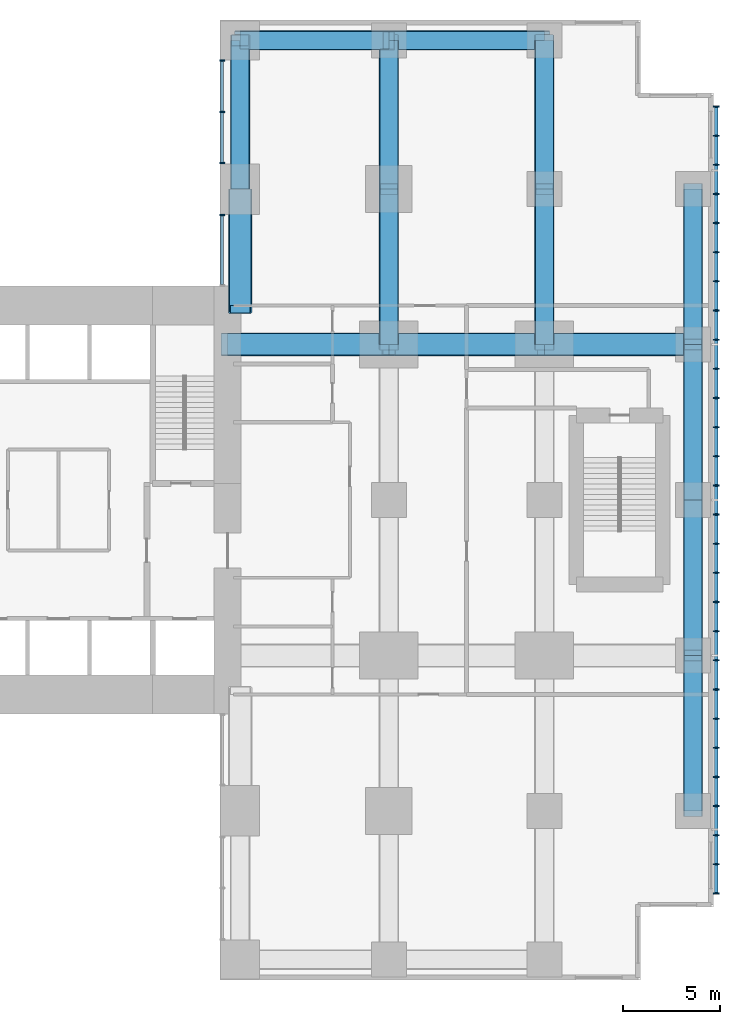
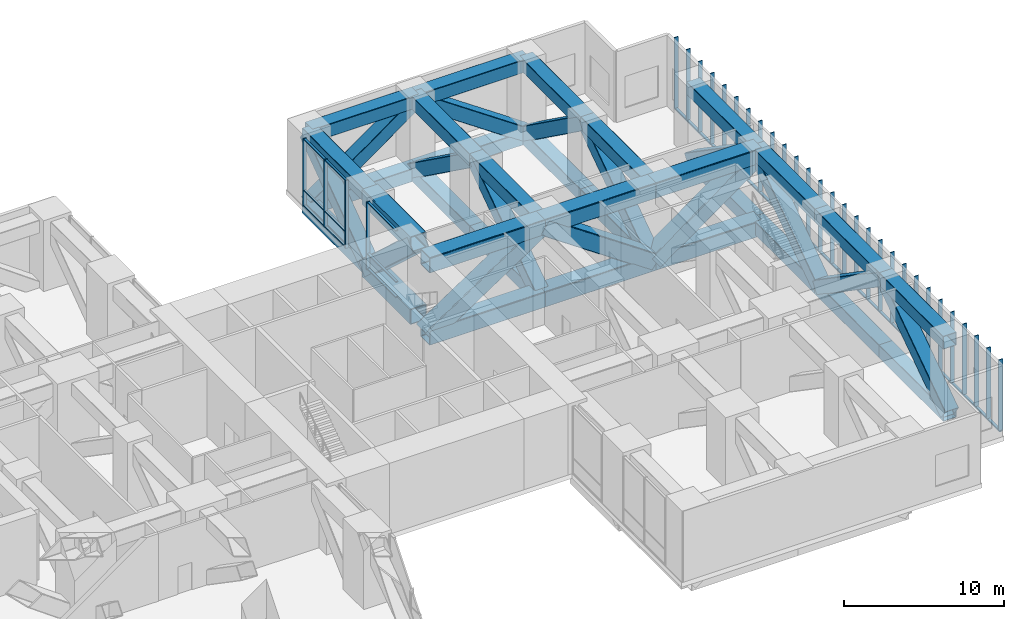
# One storey, part 5 of 15: 90 members, 2 elements without a shape of their own.
"""IFC4 building model written with IfcOpenShell, lengths in metres."""

from ifc_helpers import new_model, si_unit, direction, frame, origin, origin_2d, place, context, subcontext, project, spatial, rectangle, hollow_rectangle, extrude, material, layer, layer_set, material_profile, profile_set, type_object, element, aggregate, save


model = new_model("IFC4")

# Units and contexts
model_context = context("Model", 3, precision=1e-05, world=origin(), true_north=direction((0.0, 1.0)))
body_context = subcontext(model_context, "Body", "Model", "MODEL_VIEW")
ifc_project = project(units=[si_unit("LENGTHUNIT", "METRE"), si_unit("AREAUNIT", "SQUARE_METRE"), si_unit("VOLUMEUNIT", "CUBIC_METRE"), si_unit("PLANEANGLEUNIT", "RADIAN"), si_unit("MASSUNIT", "GRAM", prefix="KILO")], contexts=[model_context])

# Site, building, storey
site_placement = place(None, origin())
site = spatial("IfcSite", under=ifc_project, at=site_placement, CompositionType="ELEMENT")
building_placement = place(site_placement, origin())
building = spatial("IfcBuilding", under=site, at=building_placement, Name="Cleftline Residences", CompositionType="ELEMENT")
storey_placement = place(building_placement, frame((0.0, 0.0, 171.800048828125)))
storey = spatial("IfcBuildingStorey", under=building, at=storey_placement, Name="L45", CompositionType="ELEMENT", Elevation=171.800048828125)

# Members
ifc_material_1 = material(Name="Steel S355, hot-dip galvanised", Category="steel")
ifc_material_profile_1 = material_profile(ifc_material_1, hollow_rectangle(XDim=0.10009765625, YDim=0.199951171875, WallThickness=0.008056640625, InnerFilletRadius=0.008056640625, OuterFilletRadius=0.011962890625, at=origin_2d()))
ifc_profile_set_1 = profile_set([ifc_material_profile_1], Name="Steel S355, hot-dip galvanised")
member_type_1 = type_object("IfcMemberType", Name="BAGUETTE CARRIER RHS 200X100X8", PredefinedType="USERDEFINED", material=ifc_profile_set_1)
member_1_placement = place(storey_placement, frame((66.85009765625, 3.699951171875, -0.050048828125), z_axis=(0.0, 1.0, 0.0), x_axis=(0.0, 0.0, 1.0)))
element("IfcMember", 1, at=member_1_placement, inside=storey, type_object=member_type_1, Name="Baguette carrier", ObjectType="BAGUETTE CARRIER", PredefinedType="USERDEFINED", context=body_context, shape_type="SweptSolid", body=[
    extrude(hollow_rectangle(XDim=0.10009765625, YDim=0.199951171875, WallThickness=0.008056640625, InnerFilletRadius=0.008056640625, OuterFilletRadius=0.011962890625, at=origin_2d()), origin(), (0.0, 0.0, 1.0), 12.300048828125),
])
for number, where, z_axis, x_axis, name in (
    (2, (66.85009765625, 16.0, -0.050048828125), (0.0, 1.0, 0.0), (0.0, 0.0, 1.0), "Baguette carrier"),
    (3, (66.85009765625, 24.0, -0.050048828125), (0.0, 1.0, 0.0), (0.0, 0.0, 1.0), "Baguette carrier"),
):
    element("IfcMember", number, at=place(storey_placement, frame(where, z_axis=z_axis, x_axis=x_axis)), inside=storey, type_object=member_type_1, Name=name, ObjectType="BAGUETTE CARRIER", PredefinedType="USERDEFINED", context=body_context, shape_type="SweptSolid", body=[
        extrude(hollow_rectangle(XDim=0.10009765625, YDim=0.199951171875, WallThickness=0.008056640625, InnerFilletRadius=0.008056640625, OuterFilletRadius=0.011962890625, at=origin_2d()), origin(), (0.0, 0.0, 1.0), 8.0),
    ])
member_2_placement = place(storey_placement, frame((66.85009765625, 32.0, -0.050048828125), z_axis=(0.0, 1.0, 0.0), x_axis=(0.0, 0.0, 1.0)))
element("IfcMember", 4, at=member_2_placement, inside=storey, type_object=member_type_1, Name="Baguette carrier", ObjectType="BAGUETTE CARRIER", PredefinedType="USERDEFINED", context=body_context, shape_type="SweptSolid", body=[
    extrude(hollow_rectangle(XDim=0.10009765625, YDim=0.199951171875, WallThickness=0.008056640625, InnerFilletRadius=0.008056640625, OuterFilletRadius=0.011962890625, at=origin_2d()), origin(), (0.0, 0.0, 1.0), 12.300048828125),
])
ifc_material_2 = material(Name="Steel S355", Category="steel")
ifc_material_profile_2 = material_profile(ifc_material_2, hollow_rectangle(XDim=1.0, YDim=1.0, WallThickness=0.0400390625, InnerFilletRadius=0.0400390625, OuterFilletRadius=0.06005859375, at=origin_2d()))
ifc_profile_set_2 = profile_set([ifc_material_profile_2], Name="Steel S355")
member_type_2 = type_object("IfcMemberType", Name="BRACE BOX 1000X1000X40", PredefinedType="BRACE", material=ifc_profile_set_2)
member_3_placement = place(storey_placement, frame((42.35009765625, 40.0, -0.85009765625), z_axis=(0.0, 0.811933238445, 0.583750303048), x_axis=(0.0, -0.583750303048, 0.811933238445)))
element("IfcMember", 5, at=member_3_placement, inside=storey, type_object=member_type_2, Name="Belt truss diagonal", PredefinedType="BRACE", context=body_context, shape_type="SweptSolid", body=[
    extrude(hollow_rectangle(XDim=1.0, YDim=1.0, WallThickness=0.0400390625, InnerFilletRadius=0.0400390625, OuterFilletRadius=0.06005859375, at=origin_2d()), origin(), (0.0, 0.0, 1.0), 9.421875),
])
member_4_placement = place(storey_placement, frame((50.0, 32.0, -0.85009765625), z_axis=(0.0, 0.824041924199, 0.566528822887), x_axis=(0.0, -0.566528822887, 0.824041924199)))
element("IfcMember", 6, at=member_4_placement, inside=storey, type_object=member_type_2, Name="Belt truss diagonal", PredefinedType="BRACE", context=body_context, shape_type="SweptSolid", body=[
    extrude(hollow_rectangle(XDim=1.0, YDim=1.0, WallThickness=0.0400390625, InnerFilletRadius=0.0400390625, OuterFilletRadius=0.06005859375, at=origin_2d()), origin(), (0.0, 0.0, 1.0), 9.708251953125),
])
member_5_placement = place(storey_placement, frame((50.0, 40.0, 4.64990234375), z_axis=(0.0, 0.811933238445, -0.583750303048), x_axis=(0.0, 0.583750303048, 0.811933238445)))
element("IfcMember", 7, at=member_5_placement, inside=storey, type_object=member_type_2, Name="Belt truss diagonal", PredefinedType="BRACE", context=body_context, shape_type="SweptSolid", body=[
    extrude(hollow_rectangle(XDim=1.0, YDim=1.0, WallThickness=0.0400390625, InnerFilletRadius=0.0400390625, OuterFilletRadius=0.06005859375, at=origin_2d()), origin(), (0.0, 0.0, 1.0), 9.421875),
])
member_6_placement = place(storey_placement, frame((58.0, 32.0, -0.85009765625), z_axis=(0.0, 0.824041924199, 0.566528822887), x_axis=(0.0, -0.566528822887, 0.824041924199)))
element("IfcMember", 8, at=member_6_placement, inside=storey, type_object=member_type_2, Name="Belt truss diagonal", PredefinedType="BRACE", context=body_context, shape_type="SweptSolid", body=[
    extrude(hollow_rectangle(XDim=1.0, YDim=1.0, WallThickness=0.0400390625, InnerFilletRadius=0.0400390625, OuterFilletRadius=0.06005859375, at=origin_2d()), origin(), (0.0, 0.0, 1.0), 9.708251953125),
])
member_7_placement = place(storey_placement, frame((58.0, 40.0, 4.64990234375), z_axis=(0.0, 0.811933238445, -0.583750303048), x_axis=(0.0, 0.583750303048, 0.811933238445)))
element("IfcMember", 9, at=member_7_placement, inside=storey, type_object=member_type_2, Name="Belt truss diagonal", PredefinedType="BRACE", context=body_context, shape_type="SweptSolid", body=[
    extrude(hollow_rectangle(XDim=1.0, YDim=1.0, WallThickness=0.0400390625, InnerFilletRadius=0.0400390625, OuterFilletRadius=0.06005859375, at=origin_2d()), origin(), (0.0, 0.0, 1.0), 9.421875),
])
for number, where, z_axis, x_axis, name in (
    (10, (65.64990234375, 8.0, -0.85009765625), (0.0, 0.824041924199, 0.566528822887), (0.0, -0.566528822887, 0.824041924199), "Belt truss diagonal"),
    (11, (65.64990234375, 16.0, 4.64990234375), (0.0, 0.824041924199, -0.566528822887), (0.0, 0.566528822887, 0.824041924199), "Belt truss diagonal"),
    (12, (65.64990234375, 24.0, -0.85009765625), (0.0, 0.824041924199, 0.566528822887), (0.0, -0.566528822887, 0.824041924199), "Belt truss diagonal"),
    (13, (65.64990234375, 32.0, 4.64990234375), (0.0, 0.824041924199, -0.566528822887), (0.0, 0.566528822887, 0.824041924199), "Belt truss diagonal"),
):
    element("IfcMember", number, at=place(storey_placement, frame(where, z_axis=z_axis, x_axis=x_axis)), inside=storey, type_object=member_type_2, Name=name, PredefinedType="BRACE", context=body_context, shape_type="SweptSolid", body=[
        extrude(hollow_rectangle(XDim=1.0, YDim=1.0, WallThickness=0.0400390625, InnerFilletRadius=0.0400390625, OuterFilletRadius=0.06005859375, at=origin_2d()), origin(), (0.0, 0.0, 1.0), 9.708251953125),
    ])
member_8_placement = place(storey_placement, frame((42.35009765625, 47.64990234375, -0.85009765625), z_axis=(0.811933238445, 0.0, 0.583750303048), x_axis=(-0.583750303048, 0.0, 0.811933238445)))
element("IfcMember", 14, at=member_8_placement, inside=storey, type_object=member_type_2, Name="Belt truss diagonal", PredefinedType="BRACE", context=body_context, shape_type="SweptSolid", body=[
    extrude(hollow_rectangle(XDim=1.0, YDim=1.0, WallThickness=0.0400390625, InnerFilletRadius=0.0400390625, OuterFilletRadius=0.06005859375, at=origin_2d()), origin(), (0.0, 0.0, 1.0), 9.421875),
])
member_9_placement = place(storey_placement, frame((50.0, 47.64990234375, 4.64990234375), z_axis=(0.824041924199, 0.0, -0.566528822887), x_axis=(0.566528822887, 0.0, 0.824041924199)))
element("IfcMember", 15, at=member_9_placement, inside=storey, type_object=member_type_2, Name="Belt truss diagonal", PredefinedType="BRACE", context=body_context, shape_type="SweptSolid", body=[
    extrude(hollow_rectangle(XDim=1.0, YDim=1.0, WallThickness=0.0400390625, InnerFilletRadius=0.0400390625, OuterFilletRadius=0.06005859375, at=origin_2d()), origin(), (0.0, 0.0, 1.0), 9.708251953125),
])
ifc_material_3 = material(Name="Steel S355", Category="steel")
ifc_material_profile_3 = material_profile(ifc_material_3, hollow_rectangle(XDim=1.199951171875, YDim=1.199951171875, WallThickness=0.06005859375, InnerFilletRadius=0.06005859375, OuterFilletRadius=0.090087890625, at=origin_2d()))
ifc_profile_set_3 = profile_set([ifc_material_profile_3], Name="Steel S355")
member_type_3 = type_object("IfcMemberType", Name="BRACE BOX 1200X1200X60", PredefinedType="BRACE", material=ifc_profile_set_3)
member_10_placement = place(storey_placement, frame((41.699951171875, 32.0, -0.949951171875), z_axis=(0.833593682581, 0.0, 0.552378106338), x_axis=(-0.552378106338, 0.0, 0.833593682581)))
element("IfcMember", 16, at=member_10_placement, inside=storey, type_object=member_type_3, Name="Outrigger truss diagonal", PredefinedType="BRACE", context=body_context, shape_type="SweptSolid", body=[
    extrude(hollow_rectangle(XDim=1.199951171875, YDim=1.199951171875, WallThickness=0.06005859375, InnerFilletRadius=0.06005859375, OuterFilletRadius=0.090087890625, at=origin_2d()), origin(), (0.0, 0.0, 1.0), 9.95703125),
])
member_11_placement = place(storey_placement, frame((50.0, 32.0, 4.550048828125), z_axis=(0.824041924199, 0.0, -0.566528822887), x_axis=(0.566528822887, 0.0, 0.824041924199)))
element("IfcMember", 17, at=member_11_placement, inside=storey, type_object=member_type_3, Name="Outrigger truss diagonal", PredefinedType="BRACE", context=body_context, shape_type="SweptSolid", body=[
    extrude(hollow_rectangle(XDim=1.199951171875, YDim=1.199951171875, WallThickness=0.06005859375, InnerFilletRadius=0.06005859375, OuterFilletRadius=0.090087890625, at=origin_2d()), origin(), (0.0, 0.0, 1.0), 9.708251953125),
])
member_12_placement = place(storey_placement, frame((58.0, 32.0, -0.949951171875), z_axis=(0.811933238445, 0.0, 0.583750303048), x_axis=(-0.583750303048, 0.0, 0.811933238445)))
element("IfcMember", 18, at=member_12_placement, inside=storey, type_object=member_type_3, Name="Outrigger truss diagonal", PredefinedType="BRACE", context=body_context, shape_type="SweptSolid", body=[
    extrude(hollow_rectangle(XDim=1.199951171875, YDim=1.199951171875, WallThickness=0.06005859375, InnerFilletRadius=0.06005859375, OuterFilletRadius=0.090087890625, at=origin_2d()), origin(), (0.0, 0.0, 1.0), 9.421875),
])
member_13_placement = place(storey_placement, frame((42.35009765625, 40.0, -0.949951171875), z_axis=(0.0, -0.737154140201, 0.675724628517), x_axis=(0.0, 0.675724628517, 0.737154140201)))
element("IfcMember", 19, at=member_13_placement, inside=storey, type_object=member_type_3, Name="Outrigger truss diagonal", PredefinedType="BRACE", context=body_context, shape_type="SweptSolid", body=[
    extrude(hollow_rectangle(XDim=1.199951171875, YDim=1.199951171875, WallThickness=0.06005859375, InnerFilletRadius=0.06005859375, OuterFilletRadius=0.090087890625, at=origin_2d()), origin(), (0.0, 0.0, 1.0), 8.139404296875),
])
ifc_material_4 = material(Name="Steel S355", Category="steel")
ifc_material_profile_4 = material_profile(ifc_material_4, hollow_rectangle(XDim=1.0, YDim=1.0, WallThickness=0.0400390625, InnerFilletRadius=0.0400390625, OuterFilletRadius=0.06005859375, at=origin_2d()))
ifc_profile_set_4 = profile_set([ifc_material_profile_4], Name="Steel S355")
member_type_4 = type_object("IfcMemberType", Name="CHORD BOX 1000X1000X40", PredefinedType="CHORD", material=ifc_profile_set_4)
for number, where, z_axis, x_axis, name in (
    (20, (42.35009765625, 40.0, -0.85009765625), (0.0, 1.0, 0.0), (-1.0, 0.0, 0.0), "Belt truss bottom chord"),
    (21, (42.35009765625, 40.0, 4.64990234375), (0.0, 1.0, 0.0), (-1.0, 0.0, 0.0), "Belt truss top chord"),
):
    element("IfcMember", number, at=place(storey_placement, frame(where, z_axis=z_axis, x_axis=x_axis)), inside=storey, type_object=member_type_4, Name=name, PredefinedType="CHORD", context=body_context, shape_type="SweptSolid", body=[
        extrude(hollow_rectangle(XDim=1.0, YDim=1.0, WallThickness=0.0400390625, InnerFilletRadius=0.0400390625, OuterFilletRadius=0.06005859375, at=origin_2d()), origin(), (0.0, 0.0, 1.0), 7.64990234375),
    ])
for number, where, z_axis, x_axis, name in (
    (22, (50.0, 32.0, -0.85009765625), (0.0, 1.0, 0.0), (-1.0, 0.0, 0.0), "Belt truss bottom chord"),
    (23, (50.0, 32.0, 4.64990234375), (0.0, 1.0, 0.0), (-1.0, 0.0, 0.0), "Belt truss top chord"),
):
    element("IfcMember", number, at=place(storey_placement, frame(where, z_axis=z_axis, x_axis=x_axis)), inside=storey, type_object=member_type_4, Name=name, PredefinedType="CHORD", context=body_context, shape_type="SweptSolid", body=[
        extrude(hollow_rectangle(XDim=1.0, YDim=1.0, WallThickness=0.0400390625, InnerFilletRadius=0.0400390625, OuterFilletRadius=0.06005859375, at=origin_2d()), origin(), (0.0, 0.0, 1.0), 8.0),
    ])
for number, where, z_axis, x_axis, name in (
    (24, (50.0, 40.0, -0.85009765625), (0.0, 1.0, 0.0), (-1.0, 0.0, 0.0), "Belt truss bottom chord"),
    (25, (50.0, 40.0, 4.64990234375), (0.0, 1.0, 0.0), (-1.0, 0.0, 0.0), "Belt truss top chord"),
):
    element("IfcMember", number, at=place(storey_placement, frame(where, z_axis=z_axis, x_axis=x_axis)), inside=storey, type_object=member_type_4, Name=name, PredefinedType="CHORD", context=body_context, shape_type="SweptSolid", body=[
        extrude(hollow_rectangle(XDim=1.0, YDim=1.0, WallThickness=0.0400390625, InnerFilletRadius=0.0400390625, OuterFilletRadius=0.06005859375, at=origin_2d()), origin(), (0.0, 0.0, 1.0), 7.64990234375),
    ])
for number, where, z_axis, x_axis, name in (
    (26, (58.0, 32.0, -0.85009765625), (0.0, 1.0, 0.0), (-1.0, 0.0, 0.0), "Belt truss bottom chord"),
    (27, (58.0, 32.0, 4.64990234375), (0.0, 1.0, 0.0), (-1.0, 0.0, 0.0), "Belt truss top chord"),
):
    element("IfcMember", number, at=place(storey_placement, frame(where, z_axis=z_axis, x_axis=x_axis)), inside=storey, type_object=member_type_4, Name=name, PredefinedType="CHORD", context=body_context, shape_type="SweptSolid", body=[
        extrude(hollow_rectangle(XDim=1.0, YDim=1.0, WallThickness=0.0400390625, InnerFilletRadius=0.0400390625, OuterFilletRadius=0.06005859375, at=origin_2d()), origin(), (0.0, 0.0, 1.0), 8.0),
    ])
for number, where, z_axis, x_axis, name in (
    (28, (58.0, 40.0, -0.85009765625), (0.0, 1.0, 0.0), (-1.0, 0.0, 0.0), "Belt truss bottom chord"),
    (29, (58.0, 40.0, 4.64990234375), (0.0, 1.0, 0.0), (-1.0, 0.0, 0.0), "Belt truss top chord"),
):
    element("IfcMember", number, at=place(storey_placement, frame(where, z_axis=z_axis, x_axis=x_axis)), inside=storey, type_object=member_type_4, Name=name, PredefinedType="CHORD", context=body_context, shape_type="SweptSolid", body=[
        extrude(hollow_rectangle(XDim=1.0, YDim=1.0, WallThickness=0.0400390625, InnerFilletRadius=0.0400390625, OuterFilletRadius=0.06005859375, at=origin_2d()), origin(), (0.0, 0.0, 1.0), 7.64990234375),
    ])
for number, where, z_axis, x_axis, name in (
    (30, (65.64990234375, 8.0, -0.85009765625), (0.0, 1.0, 0.0), (-1.0, 0.0, 0.0), "Belt truss bottom chord"),
    (31, (65.64990234375, 8.0, 4.64990234375), (0.0, 1.0, 0.0), (-1.0, 0.0, 0.0), "Belt truss top chord"),
    (32, (65.64990234375, 16.0, -0.85009765625), (0.0, 1.0, 0.0), (-1.0, 0.0, 0.0), "Belt truss bottom chord"),
    (33, (65.64990234375, 16.0, 4.64990234375), (0.0, 1.0, 0.0), (-1.0, 0.0, 0.0), "Belt truss top chord"),
    (34, (65.64990234375, 24.0, -0.85009765625), (0.0, 1.0, 0.0), (-1.0, 0.0, 0.0), "Belt truss bottom chord"),
    (35, (65.64990234375, 24.0, 4.64990234375), (0.0, 1.0, 0.0), (-1.0, 0.0, 0.0), "Belt truss top chord"),
    (36, (65.64990234375, 32.0, -0.85009765625), (0.0, 1.0, 0.0), (-1.0, 0.0, 0.0), "Belt truss bottom chord"),
    (37, (65.64990234375, 32.0, 4.64990234375), (0.0, 1.0, 0.0), (-1.0, 0.0, 0.0), "Belt truss top chord"),
):
    element("IfcMember", number, at=place(storey_placement, frame(where, z_axis=z_axis, x_axis=x_axis)), inside=storey, type_object=member_type_4, Name=name, PredefinedType="CHORD", context=body_context, shape_type="SweptSolid", body=[
        extrude(hollow_rectangle(XDim=1.0, YDim=1.0, WallThickness=0.0400390625, InnerFilletRadius=0.0400390625, OuterFilletRadius=0.06005859375, at=origin_2d()), origin(), (0.0, 0.0, 1.0), 8.0),
    ])
for number, where, z_axis, x_axis, name in (
    (38, (42.35009765625, 47.64990234375, -0.85009765625), (1.0, 0.0, 0.0), (0.0, 1.0, 0.0), "Belt truss bottom chord"),
    (39, (42.35009765625, 47.64990234375, 4.64990234375), (1.0, 0.0, 0.0), (0.0, 1.0, 0.0), "Belt truss top chord"),
):
    element("IfcMember", number, at=place(storey_placement, frame(where, z_axis=z_axis, x_axis=x_axis)), inside=storey, type_object=member_type_4, Name=name, PredefinedType="CHORD", context=body_context, shape_type="SweptSolid", body=[
        extrude(hollow_rectangle(XDim=1.0, YDim=1.0, WallThickness=0.0400390625, InnerFilletRadius=0.0400390625, OuterFilletRadius=0.06005859375, at=origin_2d()), origin(), (0.0, 0.0, 1.0), 7.64990234375),
    ])
for number, where, z_axis, x_axis, name in (
    (40, (50.0, 47.64990234375, -0.85009765625), (1.0, 0.0, 0.0), (0.0, 1.0, 0.0), "Belt truss bottom chord"),
    (41, (50.0, 47.64990234375, 4.64990234375), (1.0, 0.0, 0.0), (0.0, 1.0, 0.0), "Belt truss top chord"),
):
    element("IfcMember", number, at=place(storey_placement, frame(where, z_axis=z_axis, x_axis=x_axis)), inside=storey, type_object=member_type_4, Name=name, PredefinedType="CHORD", context=body_context, shape_type="SweptSolid", body=[
        extrude(hollow_rectangle(XDim=1.0, YDim=1.0, WallThickness=0.0400390625, InnerFilletRadius=0.0400390625, OuterFilletRadius=0.06005859375, at=origin_2d()), origin(), (0.0, 0.0, 1.0), 8.0),
    ])
ifc_material_5 = material(Name="Steel S355", Category="steel")
ifc_material_profile_5 = material_profile(ifc_material_5, hollow_rectangle(XDim=1.199951171875, YDim=1.199951171875, WallThickness=0.06005859375, InnerFilletRadius=0.06005859375, OuterFilletRadius=0.090087890625, at=origin_2d()))
ifc_profile_set_5 = profile_set([ifc_material_profile_5], Name="Steel S355")
member_type_5 = type_object("IfcMemberType", Name="CHORD BOX 1200X1200X60", PredefinedType="CHORD", material=ifc_profile_set_5)
for number, where, z_axis, x_axis, name in (
    (42, (41.699951171875, 32.0, -0.949951171875), (1.0, 0.0, 0.0), (0.0, 1.0, 0.0), "Outrigger truss bottom chord"),
    (43, (41.699951171875, 32.0, 4.550048828125), (1.0, 0.0, 0.0), (0.0, 1.0, 0.0), "Outrigger truss top chord"),
):
    element("IfcMember", number, at=place(storey_placement, frame(where, z_axis=z_axis, x_axis=x_axis)), inside=storey, type_object=member_type_5, Name=name, PredefinedType="CHORD", context=body_context, shape_type="SweptSolid", body=[
        extrude(hollow_rectangle(XDim=1.199951171875, YDim=1.199951171875, WallThickness=0.06005859375, InnerFilletRadius=0.06005859375, OuterFilletRadius=0.090087890625, at=origin_2d()), origin(), (0.0, 0.0, 1.0), 8.300048828125),
    ])
for number, where, z_axis, x_axis, name in (
    (44, (50.0, 32.0, -0.949951171875), (1.0, 0.0, 0.0), (0.0, 1.0, 0.0), "Outrigger truss bottom chord"),
    (45, (50.0, 32.0, 4.550048828125), (1.0, 0.0, 0.0), (0.0, 1.0, 0.0), "Outrigger truss top chord"),
):
    element("IfcMember", number, at=place(storey_placement, frame(where, z_axis=z_axis, x_axis=x_axis)), inside=storey, type_object=member_type_5, Name=name, PredefinedType="CHORD", context=body_context, shape_type="SweptSolid", body=[
        extrude(hollow_rectangle(XDim=1.199951171875, YDim=1.199951171875, WallThickness=0.06005859375, InnerFilletRadius=0.06005859375, OuterFilletRadius=0.090087890625, at=origin_2d()), origin(), (0.0, 0.0, 1.0), 8.0),
    ])
for number, where, z_axis, x_axis, name in (
    (46, (58.0, 32.0, -0.949951171875), (1.0, 0.0, 0.0), (0.0, 1.0, 0.0), "Outrigger truss bottom chord"),
    (47, (58.0, 32.0, 4.550048828125), (1.0, 0.0, 0.0), (0.0, 1.0, 0.0), "Outrigger truss top chord"),
):
    element("IfcMember", number, at=place(storey_placement, frame(where, z_axis=z_axis, x_axis=x_axis)), inside=storey, type_object=member_type_5, Name=name, PredefinedType="CHORD", context=body_context, shape_type="SweptSolid", body=[
        extrude(hollow_rectangle(XDim=1.199951171875, YDim=1.199951171875, WallThickness=0.06005859375, InnerFilletRadius=0.06005859375, OuterFilletRadius=0.090087890625, at=origin_2d()), origin(), (0.0, 0.0, 1.0), 7.64990234375),
    ])
for number, where, z_axis, x_axis, name in (
    (48, (42.35009765625, 40.0, -0.949951171875), (0.0, -1.0, 0.0), (1.0, 0.0, 0.0), "Outrigger truss bottom chord"),
    (49, (42.35009765625, 40.0, 4.550048828125), (0.0, -1.0, 0.0), (1.0, 0.0, 0.0), "Outrigger truss top chord"),
):
    element("IfcMember", number, at=place(storey_placement, frame(where, z_axis=z_axis, x_axis=x_axis)), inside=storey, type_object=member_type_5, Name=name, PredefinedType="CHORD", context=body_context, shape_type="SweptSolid", body=[
        extrude(hollow_rectangle(XDim=1.199951171875, YDim=1.199951171875, WallThickness=0.06005859375, InnerFilletRadius=0.06005859375, OuterFilletRadius=0.090087890625, at=origin_2d()), origin(), (0.0, 0.0, 1.0), 6.0),
    ])

# Curtain wall, members
ifc_material_6 = material(Name="Aluminium framed louvre screen", Category="aluminium")
ifc_layer = layer(ifc_material_6, 0.25)
ifc_layer_set = layer_set([ifc_layer], Name="CW6 REFUGE LOUVRE SCREEN")
curtain_wall_type = type_object("IfcCurtainWallType", Name="CW6 REFUGE LOUVRE SCREEN", PredefinedType="NOTDEFINED", material=ifc_layer_set)
curtain_wall_1_placement = place(storey_placement, origin())
curtain_wall_1 = element("IfcCurtainWall", 50, at=curtain_wall_1_placement, inside=storey, type_object=curtain_wall_type, Name="Louvre screen CW6", PredefinedType="NOTDEFINED")
ifc_material_7 = material(Name="Aluminium louvre mullion", Category="aluminium")
ifc_material_profile_6 = material_profile(ifc_material_7, rectangle(XDim=0.25, YDim=0.080078125, at=origin_2d()))
ifc_profile_set_6 = profile_set([ifc_material_profile_6], Name="Aluminium louvre mullion")
member_type_6 = type_object("IfcMemberType", Name="CW6 LOUVRE MULLION", PredefinedType="MULLION", material=ifc_profile_set_6)
member_14_placement = place(storey_placement, frame((41.425048828125, 46.610107421875, 0.0), z_axis=(0.0, 0.0, 1.0), x_axis=(1.0, 0.0, 0.0)))
member_14 = element("IfcMember", 51, at=member_14_placement, type_object=member_type_6, Name="CW6 mullion 1", PredefinedType="MULLION", context=body_context, shape_type="SweptSolid", body=[
    extrude(rectangle(XDim=0.25, YDim=0.080078125, at=origin_2d()), origin(), (0.0, 0.0, 1.0), 5.14990234375),
])
member_15_placement = place(storey_placement, frame((41.425048828125, 43.97509765625, 0.0), z_axis=(0.0, 0.0, 1.0), x_axis=(1.0, 0.0, 0.0)))
member_15 = element("IfcMember", 52, at=member_15_placement, type_object=member_type_6, Name="CW6 mullion 2", PredefinedType="MULLION", context=body_context, shape_type="SweptSolid", body=[
    extrude(rectangle(XDim=0.25, YDim=0.080078125, at=origin_2d()), origin(), (0.0, 0.0, 1.0), 5.14990234375),
])
member_16_placement = place(storey_placement, frame((41.425048828125, 41.340087890625, 0.0), z_axis=(0.0, 0.0, 1.0), x_axis=(1.0, 0.0, 0.0)))
member_16 = element("IfcMember", 53, at=member_16_placement, type_object=member_type_6, Name="CW6 mullion 3", PredefinedType="MULLION", context=body_context, shape_type="SweptSolid", body=[
    extrude(rectangle(XDim=0.25, YDim=0.080078125, at=origin_2d()), origin(), (0.0, 0.0, 1.0), 5.14990234375),
])

# Curtain wall, member
curtain_wall_2_placement = place(storey_placement, origin())
curtain_wall_2 = element("IfcCurtainWall", 54, at=curtain_wall_2_placement, inside=storey, type_object=curtain_wall_type, Name="Louvre screen CW6", PredefinedType="NOTDEFINED")
member_17_placement = place(storey_placement, frame((41.425048828125, 38.659912109375, 0.0), z_axis=(0.0, 0.0, 1.0), x_axis=(1.0, 0.0, 0.0)))
member_17 = element("IfcMember", 55, at=member_17_placement, type_object=member_type_6, Name="CW6 mullion 1", PredefinedType="MULLION", context=body_context, shape_type="SweptSolid", body=[
    extrude(rectangle(XDim=0.25, YDim=0.080078125, at=origin_2d()), origin(), (0.0, 0.0, 1.0), 5.14990234375),
])

# Member
ifc_material_8 = material(Name="Aluminium louvre transom", Category="aluminium")
ifc_material_profile_7 = material_profile(ifc_material_8, rectangle(XDim=0.14990234375, YDim=0.080078125, at=origin_2d()))
ifc_profile_set_7 = profile_set([ifc_material_profile_7], Name="Aluminium louvre transom")
member_type_7 = type_object("IfcMemberType", Name="CW6 LOUVRE TRANSOM", PredefinedType="USERDEFINED", material=ifc_profile_set_7)
member_18_placement = place(storey_placement, frame((41.425048828125, 46.570068359375, 0.0400390625), z_axis=(0.0, -1.0, 0.0), x_axis=(1.0, 0.0, 0.0)))
member_18 = element("IfcMember", 56, at=member_18_placement, type_object=member_type_7, Name="CW6 transom 1.1", ObjectType="TRANSOM", PredefinedType="USERDEFINED", context=body_context, shape_type="SweptSolid", body=[
    extrude(rectangle(XDim=0.14990234375, YDim=0.080078125, at=origin_2d()), origin(), (0.0, 0.0, 1.0), 2.55517578125),
])

member_19_placement = place(storey_placement, frame((41.425048828125, 46.570068359375, 1.199951171875), z_axis=(0.0, -1.0, 0.0), x_axis=(1.0, 0.0, 0.0)))
member_19 = element("IfcMember", 57, at=member_19_placement, type_object=member_type_7, Name="CW6 transom 1.2", ObjectType="TRANSOM", PredefinedType="USERDEFINED", context=body_context, shape_type="SweptSolid", body=[
    extrude(rectangle(XDim=0.14990234375, YDim=0.080078125, at=origin_2d()), origin(), (0.0, 0.0, 1.0), 2.55517578125),
])

member_20_placement = place(storey_placement, frame((41.425048828125, 46.570068359375, 5.10986328125), z_axis=(0.0, -1.0, 0.0), x_axis=(1.0, 0.0, 0.0)))
member_20 = element("IfcMember", 58, at=member_20_placement, type_object=member_type_7, Name="CW6 transom 1.3", ObjectType="TRANSOM", PredefinedType="USERDEFINED", context=body_context, shape_type="SweptSolid", body=[
    extrude(rectangle(XDim=0.14990234375, YDim=0.080078125, at=origin_2d()), origin(), (0.0, 0.0, 1.0), 2.55517578125),
])

member_21_placement = place(storey_placement, frame((41.425048828125, 43.93505859375, 0.0400390625), z_axis=(0.0, -1.0, 0.0), x_axis=(1.0, 0.0, 0.0)))
member_21 = element("IfcMember", 59, at=member_21_placement, type_object=member_type_7, Name="CW6 transom 2.1", ObjectType="TRANSOM", PredefinedType="USERDEFINED", context=body_context, shape_type="SweptSolid", body=[
    extrude(rectangle(XDim=0.14990234375, YDim=0.080078125, at=origin_2d()), origin(), (0.0, 0.0, 1.0), 2.55517578125),
])

member_22_placement = place(storey_placement, frame((41.425048828125, 43.93505859375, 1.199951171875), z_axis=(0.0, -1.0, 0.0), x_axis=(1.0, 0.0, 0.0)))
member_22 = element("IfcMember", 60, at=member_22_placement, type_object=member_type_7, Name="CW6 transom 2.2", ObjectType="TRANSOM", PredefinedType="USERDEFINED", context=body_context, shape_type="SweptSolid", body=[
    extrude(rectangle(XDim=0.14990234375, YDim=0.080078125, at=origin_2d()), origin(), (0.0, 0.0, 1.0), 2.55517578125),
])

member_23_placement = place(storey_placement, frame((41.425048828125, 43.93505859375, 5.10986328125), z_axis=(0.0, -1.0, 0.0), x_axis=(1.0, 0.0, 0.0)))
member_23 = element("IfcMember", 61, at=member_23_placement, type_object=member_type_7, Name="CW6 transom 2.3", ObjectType="TRANSOM", PredefinedType="USERDEFINED", context=body_context, shape_type="SweptSolid", body=[
    extrude(rectangle(XDim=0.14990234375, YDim=0.080078125, at=origin_2d()), origin(), (0.0, 0.0, 1.0), 2.55517578125),
])

aggregate(curtain_wall_1, [member_14, member_15, member_16, member_18, member_19, member_20, member_21, member_22, member_23])

member_24_placement = place(storey_placement, frame((41.425048828125, 38.6201171875, 0.0400390625), z_axis=(0.0, -1.0, 0.0), x_axis=(1.0, 0.0, 0.0)))
member_24 = element("IfcMember", 62, at=member_24_placement, type_object=member_type_7, Name="CW6 transom 1.1", ObjectType="TRANSOM", PredefinedType="USERDEFINED", context=body_context, shape_type="SweptSolid", body=[
    extrude(rectangle(XDim=0.14990234375, YDim=0.080078125, at=origin_2d()), origin(), (0.0, 0.0, 1.0), 3.5400390625),
])

member_25_placement = place(storey_placement, frame((41.425048828125, 38.6201171875, 1.199951171875), z_axis=(0.0, -1.0, 0.0), x_axis=(1.0, 0.0, 0.0)))
member_25 = element("IfcMember", 63, at=member_25_placement, type_object=member_type_7, Name="CW6 transom 1.2", ObjectType="TRANSOM", PredefinedType="USERDEFINED", context=body_context, shape_type="SweptSolid", body=[
    extrude(rectangle(XDim=0.14990234375, YDim=0.080078125, at=origin_2d()), origin(), (0.0, 0.0, 1.0), 3.5400390625),
])

member_26_placement = place(storey_placement, frame((41.425048828125, 38.6201171875, 5.10986328125), z_axis=(0.0, -1.0, 0.0), x_axis=(1.0, 0.0, 0.0)))
member_26 = element("IfcMember", 64, at=member_26_placement, type_object=member_type_7, Name="CW6 transom 1.3", ObjectType="TRANSOM", PredefinedType="USERDEFINED", context=body_context, shape_type="SweptSolid", body=[
    extrude(rectangle(XDim=0.14990234375, YDim=0.080078125, at=origin_2d()), origin(), (0.0, 0.0, 1.0), 3.5400390625),
])

aggregate(curtain_wall_2, [member_17, member_24, member_25, member_26])

# Members
ifc_material_9 = material(Name="Extruded terracotta", Category="masonry")
ifc_material_profile_8 = material_profile(ifc_material_9, rectangle(XDim=0.06005859375, YDim=0.300048828125, at=origin_2d()))
ifc_profile_set_8 = profile_set([ifc_material_profile_8], Name="Extruded terracotta")
member_type_8 = type_object("IfcMemberType", Name="TERRACOTTA BAGUETTE 60X300", PredefinedType="USERDEFINED", material=ifc_profile_set_8)
for number, where, z_axis, x_axis, name in (
    (65, (66.85009765625, 3.75, 0.0), (0.0, 0.0, 1.0), (0.0, 1.0, 0.0), "Terracotta baguette"),
    (66, (66.85009765625, 5.25, 0.0), (0.0, 0.0, 1.0), (0.0, 1.0, 0.0), "Terracotta baguette"),
    (67, (66.85009765625, 6.75, 0.0), (0.0, 0.0, 1.0), (0.0, 1.0, 0.0), "Terracotta baguette"),
    (68, (66.85009765625, 8.25, 0.0), (0.0, 0.0, 1.0), (0.0, 1.0, 0.0), "Terracotta baguette"),
    (69, (66.85009765625, 9.75, 0.0), (0.0, 0.0, 1.0), (0.0, 1.0, 0.0), "Terracotta baguette"),
    (70, (66.85009765625, 11.25, 0.0), (0.0, 0.0, 1.0), (0.0, 1.0, 0.0), "Terracotta baguette"),
    (71, (66.85009765625, 12.75, 0.0), (0.0, 0.0, 1.0), (0.0, 1.0, 0.0), "Terracotta baguette"),
    (72, (66.85009765625, 14.25, 0.0), (0.0, 0.0, 1.0), (0.0, 1.0, 0.0), "Terracotta baguette"),
    (73, (66.85009765625, 15.75, 0.0), (0.0, 0.0, 1.0), (0.0, 1.0, 0.0), "Terracotta baguette"),
    (74, (66.85009765625, 17.25, 0.0), (0.0, 0.0, 1.0), (0.0, 1.0, 0.0), "Terracotta baguette"),
    (75, (66.85009765625, 18.75, 0.0), (0.0, 0.0, 1.0), (0.0, 1.0, 0.0), "Terracotta baguette"),
    (76, (66.85009765625, 20.25, 0.0), (0.0, 0.0, 1.0), (0.0, 1.0, 0.0), "Terracotta baguette"),
    (77, (66.85009765625, 21.75, 0.0), (0.0, 0.0, 1.0), (0.0, 1.0, 0.0), "Terracotta baguette"),
    (78, (66.85009765625, 23.25, 0.0), (0.0, 0.0, 1.0), (0.0, 1.0, 0.0), "Terracotta baguette"),
    (79, (66.85009765625, 24.75, 0.0), (0.0, 0.0, 1.0), (0.0, 1.0, 0.0), "Terracotta baguette"),
    (80, (66.85009765625, 26.25, 0.0), (0.0, 0.0, 1.0), (0.0, 1.0, 0.0), "Terracotta baguette"),
    (81, (66.85009765625, 27.75, 0.0), (0.0, 0.0, 1.0), (0.0, 1.0, 0.0), "Terracotta baguette"),
    (82, (66.85009765625, 29.25, 0.0), (0.0, 0.0, 1.0), (0.0, 1.0, 0.0), "Terracotta baguette"),
    (83, (66.85009765625, 30.75, 0.0), (0.0, 0.0, 1.0), (0.0, 1.0, 0.0), "Terracotta baguette"),
    (84, (66.85009765625, 32.25, 0.0), (0.0, 0.0, 1.0), (0.0, 1.0, 0.0), "Terracotta baguette"),
    (85, (66.85009765625, 33.75, 0.0), (0.0, 0.0, 1.0), (0.0, 1.0, 0.0), "Terracotta baguette"),
    (86, (66.85009765625, 35.25, 0.0), (0.0, 0.0, 1.0), (0.0, 1.0, 0.0), "Terracotta baguette"),
    (87, (66.85009765625, 36.75, 0.0), (0.0, 0.0, 1.0), (0.0, 1.0, 0.0), "Terracotta baguette"),
    (88, (66.85009765625, 38.25, 0.0), (0.0, 0.0, 1.0), (0.0, 1.0, 0.0), "Terracotta baguette"),
    (89, (66.85009765625, 39.75, 0.0), (0.0, 0.0, 1.0), (0.0, 1.0, 0.0), "Terracotta baguette"),
    (90, (66.85009765625, 41.25, 0.0), (0.0, 0.0, 1.0), (0.0, 1.0, 0.0), "Terracotta baguette"),
    (91, (66.85009765625, 42.75, 0.0), (0.0, 0.0, 1.0), (0.0, 1.0, 0.0), "Terracotta baguette"),
    (92, (66.85009765625, 44.25, 0.0), (0.0, 0.0, 1.0), (0.0, 1.0, 0.0), "Terracotta baguette"),
):
    element("IfcMember", number, at=place(storey_placement, frame(where, z_axis=z_axis, x_axis=x_axis)), inside=storey, type_object=member_type_8, Name=name, ObjectType="BAGUETTE", PredefinedType="USERDEFINED", context=body_context, shape_type="SweptSolid", body=[
        extrude(rectangle(XDim=0.06005859375, YDim=0.300048828125, at=origin_2d()), origin(), (0.0, 0.0, 1.0), 5.39990234375),
    ])

save(model, "model.ifc")
